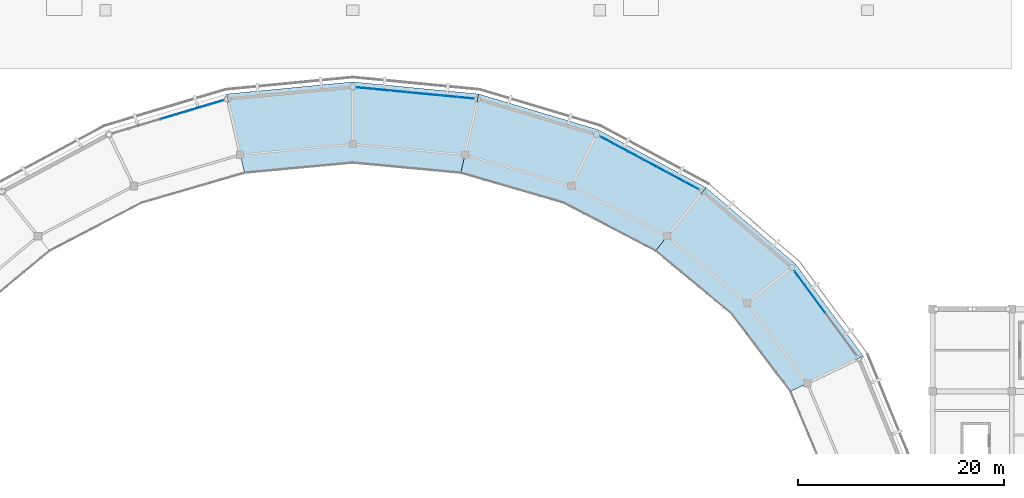
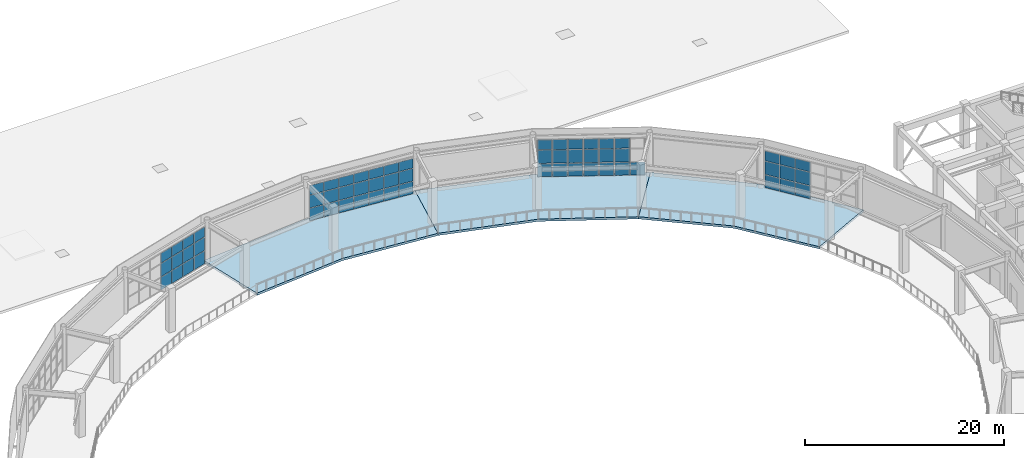
# One storey, part 45 of 70: 61 plates, 3 slabs, 4 elements without a shape of their own.
"""IFC4 building model written with IfcOpenShell, lengths in metres."""

from ifc_helpers import new_model, si_unit, direction, frame, origin, origin_2d, place, context, subcontext, project, spatial, polyline, rectangle, outline, extrude, material, layer, layer_set, type_object, element, aggregate, save


model = new_model("IFC4")

# Units and contexts
model_context = context("Model", 3, precision=1e-05, world=origin(), true_north=direction((0.0, 1.0)))
body_context = subcontext(model_context, "Body", "Model", "MODEL_VIEW")
ifc_project = project(units=[si_unit("LENGTHUNIT", "METRE"), si_unit("AREAUNIT", "SQUARE_METRE"), si_unit("VOLUMEUNIT", "CUBIC_METRE"), si_unit("PLANEANGLEUNIT", "RADIAN"), si_unit("MASSUNIT", "GRAM", prefix="KILO")], contexts=[model_context])

# Site, building, storey
site_placement = place(None, origin())
site = spatial("IfcSite", under=ifc_project, at=site_placement, CompositionType="ELEMENT")
building_placement = place(site_placement, origin())
building = spatial("IfcBuilding", under=site, at=building_placement, Name="Cuetzalor Civic Arena", CompositionType="ELEMENT")
storey_placement = place(building_placement, frame((0.0, 0.0, 21.0)))
storey = spatial("IfcBuildingStorey", under=building, at=storey_placement, Name="L04", CompositionType="ELEMENT", Elevation=21.0)

# Curtain wall, plates
ifc_material_1 = material(Name="Anodised dark bronze aluminium and low-E solar glass", Category="aluminium")
curtain_wall_type_1 = type_object("IfcCurtainWallType", Name="UnitisedCW_10150x4650", PredefinedType="USERDEFINED", material=ifc_material_1)
curtain_wall_1_placement = place(storey_placement, origin())
curtain_wall_1 = element("IfcCurtainWall", 1, at=curtain_wall_1_placement, inside=storey, type_object=curtain_wall_type_1, Name="Drum Triangle Foyer Curtain Wall L04-057", ObjectType="UNITISED CURTAIN WALL", PredefinedType="USERDEFINED")
ifc_material_2 = material(Name="Acoustic laminated solar control glass", Category="glass")
ifc_layer_1 = layer(ifc_material_2, 0.0439453125)
ifc_layer_set_1 = layer_set([ifc_layer_1], Name="Acoustic laminated solar control glass")
plate_type = type_object("IfcPlateType", Name="AcousticTripleGlazedPanel_44", PredefinedType="CURTAIN_PANEL", material=ifc_layer_set_1)
plate_1_placement = place(storey_placement, frame((43.402587890625, 27.999755859375, 0.06982421875), z_axis=(0.0, 0.0, 1.0), x_axis=(0.59292931222, -0.805254513002, 0.0)))
plate_1 = element("IfcPlate", 2, at=plate_1_placement, type_object=plate_type, Name="CW-06 panel 1.1", PredefinedType="CURTAIN_PANEL", context=body_context, shape_type="SweptSolid", body=[
    extrude(rectangle(XDim=1.585693359375, YDim=0.0439453125, at=origin_2d()), origin(), (0.0, 0.0, 1.0), 1.570068359375),
])
plate_2_placement = place(storey_placement, frame((43.402587890625, 27.999755859375, 1.7099609375), z_axis=(0.0, 0.0, 1.0), x_axis=(0.59292931222, -0.805254513002, 0.0)))
plate_2 = element("IfcPlate", 3, at=plate_2_placement, type_object=plate_type, Name="CW-06 panel 1.2", PredefinedType="CURTAIN_PANEL", context=body_context, shape_type="SweptSolid", body=[
    extrude(rectangle(XDim=1.585693359375, YDim=0.0439453125, at=origin_2d()), origin(), (0.0, 0.0, 1.0), 1.60498046875),
])
plate_3_placement = place(storey_placement, frame((43.402587890625, 27.999755859375, 3.384765625), z_axis=(0.0, 0.0, 1.0), x_axis=(0.59292931222, -0.805254513002, 0.0)))
plate_3 = element("IfcPlate", 4, at=plate_3_placement, type_object=plate_type, Name="CW-06 panel 1.3", PredefinedType="CURTAIN_PANEL", context=body_context, shape_type="SweptSolid", body=[
    extrude(rectangle(XDim=1.585693359375, YDim=0.0439453125, at=origin_2d()), origin(), (0.0, 0.0, 1.0), 1.197998046875),
])
plate_4_placement = place(storey_placement, frame((44.394775390625, 26.652587890625, 0.06982421875), z_axis=(0.0, 0.0, 1.0), x_axis=(0.59292931222, -0.805254513002, 0.0)))
plate_4 = element("IfcPlate", 5, at=plate_4_placement, type_object=plate_type, Name="CW-06 panel 2.1", PredefinedType="CURTAIN_PANEL", context=body_context, shape_type="SweptSolid", body=[
    extrude(rectangle(XDim=1.62060546875, YDim=0.0439453125, at=origin_2d()), origin(), (0.0, 0.0, 1.0), 1.570068359375),
])
plate_5_placement = place(storey_placement, frame((44.394775390625, 26.652587890625, 1.7099609375), z_axis=(0.0, 0.0, 1.0), x_axis=(0.59292931222, -0.805254513002, 0.0)))
plate_5 = element("IfcPlate", 6, at=plate_5_placement, type_object=plate_type, Name="CW-06 panel 2.2", PredefinedType="CURTAIN_PANEL", context=body_context, shape_type="SweptSolid", body=[
    extrude(rectangle(XDim=1.62060546875, YDim=0.0439453125, at=origin_2d()), origin(), (0.0, 0.0, 1.0), 1.60498046875),
])
plate_6_placement = place(storey_placement, frame((44.394775390625, 26.652587890625, 3.384765625), z_axis=(0.0, 0.0, 1.0), x_axis=(0.59292931222, -0.805254513002, 0.0)))
plate_6 = element("IfcPlate", 7, at=plate_6_placement, type_object=plate_type, Name="CW-06 panel 2.3", PredefinedType="CURTAIN_PANEL", context=body_context, shape_type="SweptSolid", body=[
    extrude(rectangle(XDim=1.62060546875, YDim=0.0439453125, at=origin_2d()), origin(), (0.0, 0.0, 1.0), 1.197998046875),
])
plate_7_placement = place(storey_placement, frame((45.397216796875, 25.291015625, 0.06982421875), z_axis=(0.0, 0.0, 1.0), x_axis=(0.59292931222, -0.805254513002, 0.0)))
plate_7 = element("IfcPlate", 8, at=plate_7_placement, type_object=plate_type, Name="CW-06 panel 3.1", PredefinedType="CURTAIN_PANEL", context=body_context, shape_type="SweptSolid", body=[
    extrude(rectangle(XDim=1.62060546875, YDim=0.0439453125, at=origin_2d()), origin(), (0.0, 0.0, 1.0), 1.570068359375),
])
plate_8_placement = place(storey_placement, frame((45.397216796875, 25.291015625, 1.7099609375), z_axis=(0.0, 0.0, 1.0), x_axis=(0.59292931222, -0.805254513002, 0.0)))
plate_8 = element("IfcPlate", 9, at=plate_8_placement, type_object=plate_type, Name="CW-06 panel 3.2", PredefinedType="CURTAIN_PANEL", context=body_context, shape_type="SweptSolid", body=[
    extrude(rectangle(XDim=1.62060546875, YDim=0.0439453125, at=origin_2d()), origin(), (0.0, 0.0, 1.0), 1.60498046875),
])
plate_9_placement = place(storey_placement, frame((45.397216796875, 25.291015625, 3.384765625), z_axis=(0.0, 0.0, 1.0), x_axis=(0.59292931222, -0.805254513002, 0.0)))
plate_9 = element("IfcPlate", 10, at=plate_9_placement, type_object=plate_type, Name="CW-06 panel 3.3", PredefinedType="CURTAIN_PANEL", context=body_context, shape_type="SweptSolid", body=[
    extrude(rectangle(XDim=1.62060546875, YDim=0.0439453125, at=origin_2d()), origin(), (0.0, 0.0, 1.0), 1.197998046875),
])
aggregate(curtain_wall_1, [plate_1, plate_2, plate_3, plate_4, plate_5, plate_6, plate_7, plate_8, plate_9])

ifc_material_3 = material(Name="Anodised dark bronze aluminium and low-E solar glass", Category="aluminium")
curtain_wall_type_2 = type_object("IfcCurtainWallType", Name="UnitisedCW_10950x4650", PredefinedType="USERDEFINED", material=ifc_material_3)
curtain_wall_2_placement = place(storey_placement, origin())
curtain_wall_2 = element("IfcCurtainWall", 11, at=curtain_wall_2_placement, inside=storey, type_object=curtain_wall_type_2, Name="Drum Triangle Foyer Curtain Wall L04-058", ObjectType="UNITISED CURTAIN WALL", PredefinedType="USERDEFINED")
plate_10_placement = place(storey_placement, frame((24.720947265625, 41.375732421875, 0.06982421875), z_axis=(0.0, 0.0, 1.0), x_axis=(0.881306344124, -0.472545371163, 0.0)))
plate_10 = element("IfcPlate", 12, at=plate_10_placement, type_object=plate_type, Name="CW-07 panel 1.1", PredefinedType="CURTAIN_PANEL", context=body_context, shape_type="SweptSolid", body=[
    extrude(rectangle(XDim=1.458740234375, YDim=0.0439453125, at=origin_2d()), origin(), (0.0, 0.0, 1.0), 1.570068359375),
])
plate_11_placement = place(storey_placement, frame((24.720947265625, 41.375732421875, 1.7099609375), z_axis=(0.0, 0.0, 1.0), x_axis=(0.881306344124, -0.472545371163, 0.0)))
plate_11 = element("IfcPlate", 13, at=plate_11_placement, type_object=plate_type, Name="CW-07 panel 1.2", PredefinedType="CURTAIN_PANEL", context=body_context, shape_type="SweptSolid", body=[
    extrude(rectangle(XDim=1.458740234375, YDim=0.0439453125, at=origin_2d()), origin(), (0.0, 0.0, 1.0), 1.60498046875),
])
plate_12_placement = place(storey_placement, frame((24.720947265625, 41.375732421875, 3.384765625), z_axis=(0.0, 0.0, 1.0), x_axis=(0.881306344124, -0.472545371163, 0.0)))
plate_12 = element("IfcPlate", 14, at=plate_12_placement, type_object=plate_type, Name="CW-07 panel 1.3", PredefinedType="CURTAIN_PANEL", context=body_context, shape_type="SweptSolid", body=[
    extrude(rectangle(XDim=1.458740234375, YDim=0.0439453125, at=origin_2d()), origin(), (0.0, 0.0, 1.0), 1.197998046875),
])
plate_13_placement = place(storey_placement, frame((26.08349609375, 40.64501953125, 0.06982421875), z_axis=(0.0, 0.0, 1.0), x_axis=(0.881306344124, -0.472545371163, 0.0)))
plate_13 = element("IfcPlate", 15, at=plate_13_placement, type_object=plate_type, Name="CW-07 panel 2.1", PredefinedType="CURTAIN_PANEL", context=body_context, shape_type="SweptSolid", body=[
    extrude(rectangle(XDim=1.49365234375, YDim=0.0439453125, at=origin_2d()), origin(), (0.0, 0.0, 1.0), 1.570068359375),
])
plate_14_placement = place(storey_placement, frame((26.08349609375, 40.64501953125, 1.7099609375), z_axis=(0.0, 0.0, 1.0), x_axis=(0.881306344124, -0.472545371163, 0.0)))
plate_14 = element("IfcPlate", 16, at=plate_14_placement, type_object=plate_type, Name="CW-07 panel 2.2", PredefinedType="CURTAIN_PANEL", context=body_context, shape_type="SweptSolid", body=[
    extrude(rectangle(XDim=1.49365234375, YDim=0.0439453125, at=origin_2d()), origin(), (0.0, 0.0, 1.0), 1.60498046875),
])
plate_15_placement = place(storey_placement, frame((26.08349609375, 40.64501953125, 3.384765625), z_axis=(0.0, 0.0, 1.0), x_axis=(0.881306344124, -0.472545371163, 0.0)))
plate_15 = element("IfcPlate", 17, at=plate_15_placement, type_object=plate_type, Name="CW-07 panel 2.3", PredefinedType="CURTAIN_PANEL", context=body_context, shape_type="SweptSolid", body=[
    extrude(rectangle(XDim=1.49365234375, YDim=0.0439453125, at=origin_2d()), origin(), (0.0, 0.0, 1.0), 1.197998046875),
])
plate_16_placement = place(storey_placement, frame((27.461669921875, 39.90625, 0.06982421875), z_axis=(0.0, 0.0, 1.0), x_axis=(0.881306344124, -0.472545371163, 0.0)))
plate_16 = element("IfcPlate", 18, at=plate_16_placement, type_object=plate_type, Name="CW-07 panel 3.1", PredefinedType="CURTAIN_PANEL", context=body_context, shape_type="SweptSolid", body=[
    extrude(rectangle(XDim=1.49365234375, YDim=0.0439453125, at=origin_2d()), origin(), (0.0, 0.0, 1.0), 1.570068359375),
])
plate_17_placement = place(storey_placement, frame((27.461669921875, 39.90625, 1.7099609375), z_axis=(0.0, 0.0, 1.0), x_axis=(0.881306344124, -0.472545371163, 0.0)))
plate_17 = element("IfcPlate", 19, at=plate_17_placement, type_object=plate_type, Name="CW-07 panel 3.2", PredefinedType="CURTAIN_PANEL", context=body_context, shape_type="SweptSolid", body=[
    extrude(rectangle(XDim=1.49365234375, YDim=0.0439453125, at=origin_2d()), origin(), (0.0, 0.0, 1.0), 1.60498046875),
])
plate_18_placement = place(storey_placement, frame((27.461669921875, 39.90625, 3.384765625), z_axis=(0.0, 0.0, 1.0), x_axis=(0.881306344124, -0.472545371163, 0.0)))
plate_18 = element("IfcPlate", 20, at=plate_18_placement, type_object=plate_type, Name="CW-07 panel 3.3", PredefinedType="CURTAIN_PANEL", context=body_context, shape_type="SweptSolid", body=[
    extrude(rectangle(XDim=1.49365234375, YDim=0.0439453125, at=origin_2d()), origin(), (0.0, 0.0, 1.0), 1.197998046875),
])
plate_19_placement = place(storey_placement, frame((28.83984375, 39.167236328125, 0.06982421875), z_axis=(0.0, 0.0, 1.0), x_axis=(0.881306344124, -0.472545371163, 0.0)))
plate_19 = element("IfcPlate", 21, at=plate_19_placement, type_object=plate_type, Name="CW-07 panel 4.1", PredefinedType="CURTAIN_PANEL", context=body_context, shape_type="SweptSolid", body=[
    extrude(rectangle(XDim=1.49365234375, YDim=0.0439453125, at=origin_2d()), origin(), (0.0, 0.0, 1.0), 1.570068359375),
])
plate_20_placement = place(storey_placement, frame((28.83984375, 39.167236328125, 1.7099609375), z_axis=(0.0, 0.0, 1.0), x_axis=(0.881306344124, -0.472545371163, 0.0)))
plate_20 = element("IfcPlate", 22, at=plate_20_placement, type_object=plate_type, Name="CW-07 panel 4.2", PredefinedType="CURTAIN_PANEL", context=body_context, shape_type="SweptSolid", body=[
    extrude(rectangle(XDim=1.49365234375, YDim=0.0439453125, at=origin_2d()), origin(), (0.0, 0.0, 1.0), 1.60498046875),
])
plate_21_placement = place(storey_placement, frame((28.83984375, 39.167236328125, 3.384765625), z_axis=(0.0, 0.0, 1.0), x_axis=(0.881306344124, -0.472545371163, 0.0)))
plate_21 = element("IfcPlate", 23, at=plate_21_placement, type_object=plate_type, Name="CW-07 panel 4.3", PredefinedType="CURTAIN_PANEL", context=body_context, shape_type="SweptSolid", body=[
    extrude(rectangle(XDim=1.49365234375, YDim=0.0439453125, at=origin_2d()), origin(), (0.0, 0.0, 1.0), 1.197998046875),
])
plate_22_placement = place(storey_placement, frame((30.218017578125, 38.42822265625, 0.06982421875), z_axis=(0.0, 0.0, 1.0), x_axis=(0.881306344124, -0.472545371163, 0.0)))
plate_22 = element("IfcPlate", 24, at=plate_22_placement, type_object=plate_type, Name="CW-07 panel 5.1", PredefinedType="CURTAIN_PANEL", context=body_context, shape_type="SweptSolid", body=[
    extrude(rectangle(XDim=1.49365234375, YDim=0.0439453125, at=origin_2d()), origin(), (0.0, 0.0, 1.0), 1.570068359375),
])
plate_23_placement = place(storey_placement, frame((30.218017578125, 38.42822265625, 1.7099609375), z_axis=(0.0, 0.0, 1.0), x_axis=(0.881306344124, -0.472545371163, 0.0)))
plate_23 = element("IfcPlate", 25, at=plate_23_placement, type_object=plate_type, Name="CW-07 panel 5.2", PredefinedType="CURTAIN_PANEL", context=body_context, shape_type="SweptSolid", body=[
    extrude(rectangle(XDim=1.49365234375, YDim=0.0439453125, at=origin_2d()), origin(), (0.0, 0.0, 1.0), 1.60498046875),
])
plate_24_placement = place(storey_placement, frame((30.218017578125, 38.42822265625, 3.384765625), z_axis=(0.0, 0.0, 1.0), x_axis=(0.881306344124, -0.472545371163, 0.0)))
plate_24 = element("IfcPlate", 26, at=plate_24_placement, type_object=plate_type, Name="CW-07 panel 5.3", PredefinedType="CURTAIN_PANEL", context=body_context, shape_type="SweptSolid", body=[
    extrude(rectangle(XDim=1.49365234375, YDim=0.0439453125, at=origin_2d()), origin(), (0.0, 0.0, 1.0), 1.197998046875),
])
plate_25_placement = place(storey_placement, frame((31.59619140625, 37.689208984375, 0.06982421875), z_axis=(0.0, 0.0, 1.0), x_axis=(0.881306344124, -0.472545371163, 0.0)))
plate_25 = element("IfcPlate", 27, at=plate_25_placement, type_object=plate_type, Name="CW-07 panel 6.1", PredefinedType="CURTAIN_PANEL", context=body_context, shape_type="SweptSolid", body=[
    extrude(rectangle(XDim=1.49365234375, YDim=0.0439453125, at=origin_2d()), origin(), (0.0, 0.0, 1.0), 1.570068359375),
])
plate_26_placement = place(storey_placement, frame((31.59619140625, 37.689208984375, 1.7099609375), z_axis=(0.0, 0.0, 1.0), x_axis=(0.881306344124, -0.472545371163, 0.0)))
plate_26 = element("IfcPlate", 28, at=plate_26_placement, type_object=plate_type, Name="CW-07 panel 6.2", PredefinedType="CURTAIN_PANEL", context=body_context, shape_type="SweptSolid", body=[
    extrude(rectangle(XDim=1.49365234375, YDim=0.0439453125, at=origin_2d()), origin(), (0.0, 0.0, 1.0), 1.60498046875),
])
plate_27_placement = place(storey_placement, frame((31.59619140625, 37.689208984375, 3.384765625), z_axis=(0.0, 0.0, 1.0), x_axis=(0.881306344124, -0.472545371163, 0.0)))
plate_27 = element("IfcPlate", 29, at=plate_27_placement, type_object=plate_type, Name="CW-07 panel 6.3", PredefinedType="CURTAIN_PANEL", context=body_context, shape_type="SweptSolid", body=[
    extrude(rectangle(XDim=1.49365234375, YDim=0.0439453125, at=origin_2d()), origin(), (0.0, 0.0, 1.0), 1.197998046875),
])
plate_28_placement = place(storey_placement, frame((32.958984375, 36.958740234375, 0.06982421875), z_axis=(0.0, 0.0, 1.0), x_axis=(0.881306344124, -0.472545371163, 0.0)))
plate_28 = element("IfcPlate", 30, at=plate_28_placement, type_object=plate_type, Name="CW-07 panel 7.1", PredefinedType="CURTAIN_PANEL", context=body_context, shape_type="SweptSolid", body=[
    extrude(rectangle(XDim=1.458740234375, YDim=0.0439453125, at=origin_2d()), origin(), (0.0, 0.0, 1.0), 1.570068359375),
])
aggregate(curtain_wall_2, [plate_10, plate_11, plate_12, plate_13, plate_14, plate_15, plate_16, plate_17, plate_18, plate_19, plate_20, plate_21, plate_22, plate_23, plate_24, plate_25, plate_26, plate_27, plate_28])

ifc_material_4 = material(Name="Anodised dark bronze aluminium and low-E solar glass", Category="aluminium")
curtain_wall_type_3 = type_object("IfcCurtainWallType", Name="UnitisedCW_11550x4450", PredefinedType="USERDEFINED", material=ifc_material_4)
curtain_wall_3_placement = place(storey_placement, origin())
curtain_wall_3 = element("IfcCurtainWall", 31, at=curtain_wall_3_placement, inside=storey, type_object=curtain_wall_type_3, Name="Drum Triangle Foyer Curtain Wall L04-059", ObjectType="UNITISED CURTAIN WALL", PredefinedType="USERDEFINED")
plate_29_placement = place(storey_placement, frame((1.15185546875, 46.439208984375, 0.06494140625), z_axis=(0.0, 0.0, 1.0), x_axis=(0.995409139996, -0.095711253324, 0.0)))
plate_29 = element("IfcPlate", 32, at=plate_29_placement, type_object=plate_type, Name="CW-08 panel 1.1", PredefinedType="CURTAIN_PANEL", context=body_context, shape_type="SweptSolid", body=[
    extrude(rectangle(XDim=1.5546875, YDim=0.0439453125, at=origin_2d()), origin(), (0.0, 0.0, 1.0), 1.49853515625),
])
plate_30_placement = place(storey_placement, frame((1.15185546875, 46.439208984375, 1.62841796875), z_axis=(0.0, 0.0, 1.0), x_axis=(0.995409139996, -0.095711253324, 0.0)))
plate_30 = element("IfcPlate", 33, at=plate_30_placement, type_object=plate_type, Name="CW-08 panel 1.2", PredefinedType="CURTAIN_PANEL", context=body_context, shape_type="SweptSolid", body=[
    extrude(rectangle(XDim=1.5546875, YDim=0.0439453125, at=origin_2d()), origin(), (0.0, 0.0, 1.0), 1.530029296875),
])
plate_31_placement = place(storey_placement, frame((1.15185546875, 46.439208984375, 3.223388671875), z_axis=(0.0, 0.0, 1.0), x_axis=(0.995409139996, -0.095711253324, 0.0)))
plate_31 = element("IfcPlate", 34, at=plate_31_placement, type_object=plate_type, Name="CW-08 panel 1.3", PredefinedType="CURTAIN_PANEL", context=body_context, shape_type="SweptSolid", body=[
    extrude(rectangle(XDim=1.5546875, YDim=0.0439453125, at=origin_2d()), origin(), (0.0, 0.0, 1.0), 1.1435546875),
])
plate_32_placement = place(storey_placement, frame((2.780029296875, 46.28271484375, 0.06494140625), z_axis=(0.0, 0.0, 1.0), x_axis=(0.995409139996, -0.095711253324, 0.0)))
plate_32 = element("IfcPlate", 35, at=plate_32_placement, type_object=plate_type, Name="CW-08 panel 2.1", PredefinedType="CURTAIN_PANEL", context=body_context, shape_type="SweptSolid", body=[
    extrude(rectangle(XDim=1.587158203125, YDim=0.0439453125, at=origin_2d()), origin(), (0.0, 0.0, 1.0), 1.49853515625),
])
plate_33_placement = place(storey_placement, frame((2.780029296875, 46.28271484375, 1.62841796875), z_axis=(0.0, 0.0, 1.0), x_axis=(0.995409139996, -0.095711253324, 0.0)))
plate_33 = element("IfcPlate", 36, at=plate_33_placement, type_object=plate_type, Name="CW-08 panel 2.2", PredefinedType="CURTAIN_PANEL", context=body_context, shape_type="SweptSolid", body=[
    extrude(rectangle(XDim=1.587158203125, YDim=0.0439453125, at=origin_2d()), origin(), (0.0, 0.0, 1.0), 1.530029296875),
])
plate_34_placement = place(storey_placement, frame((2.780029296875, 46.28271484375, 3.223388671875), z_axis=(0.0, 0.0, 1.0), x_axis=(0.995409139996, -0.095711253324, 0.0)))
plate_34 = element("IfcPlate", 37, at=plate_34_placement, type_object=plate_type, Name="CW-08 panel 2.3", PredefinedType="CURTAIN_PANEL", context=body_context, shape_type="SweptSolid", body=[
    extrude(rectangle(XDim=1.587158203125, YDim=0.0439453125, at=origin_2d()), origin(), (0.0, 0.0, 1.0), 1.1435546875),
])
plate_35_placement = place(storey_placement, frame((4.4248046875, 46.12451171875, 0.06494140625), z_axis=(0.0, 0.0, 1.0), x_axis=(0.995409139996, -0.095711253324, 0.0)))
plate_35 = element("IfcPlate", 38, at=plate_35_placement, type_object=plate_type, Name="CW-08 panel 3.1", PredefinedType="CURTAIN_PANEL", context=body_context, shape_type="SweptSolid", body=[
    extrude(rectangle(XDim=1.587158203125, YDim=0.0439453125, at=origin_2d()), origin(), (0.0, 0.0, 1.0), 1.49853515625),
])
plate_36_placement = place(storey_placement, frame((4.4248046875, 46.12451171875, 1.62841796875), z_axis=(0.0, 0.0, 1.0), x_axis=(0.995409139996, -0.095711253324, 0.0)))
plate_36 = element("IfcPlate", 39, at=plate_36_placement, type_object=plate_type, Name="CW-08 panel 3.2", PredefinedType="CURTAIN_PANEL", context=body_context, shape_type="SweptSolid", body=[
    extrude(rectangle(XDim=1.587158203125, YDim=0.0439453125, at=origin_2d()), origin(), (0.0, 0.0, 1.0), 1.530029296875),
])
plate_37_placement = place(storey_placement, frame((4.4248046875, 46.12451171875, 3.223388671875), z_axis=(0.0, 0.0, 1.0), x_axis=(0.995409139996, -0.095711253324, 0.0)))
plate_37 = element("IfcPlate", 40, at=plate_37_placement, type_object=plate_type, Name="CW-08 panel 3.3", PredefinedType="CURTAIN_PANEL", context=body_context, shape_type="SweptSolid", body=[
    extrude(rectangle(XDim=1.587158203125, YDim=0.0439453125, at=origin_2d()), origin(), (0.0, 0.0, 1.0), 1.1435546875),
])
plate_38_placement = place(storey_placement, frame((6.0693359375, 45.966552734375, 0.06494140625), z_axis=(0.0, 0.0, 1.0), x_axis=(0.995409139996, -0.095711253324, 0.0)))
plate_38 = element("IfcPlate", 41, at=plate_38_placement, type_object=plate_type, Name="CW-08 panel 4.1", PredefinedType="CURTAIN_PANEL", context=body_context, shape_type="SweptSolid", body=[
    extrude(rectangle(XDim=1.587158203125, YDim=0.0439453125, at=origin_2d()), origin(), (0.0, 0.0, 1.0), 1.49853515625),
])
plate_39_placement = place(storey_placement, frame((6.0693359375, 45.966552734375, 1.62841796875), z_axis=(0.0, 0.0, 1.0), x_axis=(0.995409139996, -0.095711253324, 0.0)))
plate_39 = element("IfcPlate", 42, at=plate_39_placement, type_object=plate_type, Name="CW-08 panel 4.2", PredefinedType="CURTAIN_PANEL", context=body_context, shape_type="SweptSolid", body=[
    extrude(rectangle(XDim=1.587158203125, YDim=0.0439453125, at=origin_2d()), origin(), (0.0, 0.0, 1.0), 1.530029296875),
])
plate_40_placement = place(storey_placement, frame((6.0693359375, 45.966552734375, 3.223388671875), z_axis=(0.0, 0.0, 1.0), x_axis=(0.995409139996, -0.095711253324, 0.0)))
plate_40 = element("IfcPlate", 43, at=plate_40_placement, type_object=plate_type, Name="CW-08 panel 4.3", PredefinedType="CURTAIN_PANEL", context=body_context, shape_type="SweptSolid", body=[
    extrude(rectangle(XDim=1.587158203125, YDim=0.0439453125, at=origin_2d()), origin(), (0.0, 0.0, 1.0), 1.1435546875),
])
plate_41_placement = place(storey_placement, frame((7.7138671875, 45.808349609375, 0.06494140625), z_axis=(0.0, 0.0, 1.0), x_axis=(0.995409139996, -0.095711253324, 0.0)))
plate_41 = element("IfcPlate", 44, at=plate_41_placement, type_object=plate_type, Name="CW-08 panel 5.1", PredefinedType="CURTAIN_PANEL", context=body_context, shape_type="SweptSolid", body=[
    extrude(rectangle(XDim=1.587158203125, YDim=0.0439453125, at=origin_2d()), origin(), (0.0, 0.0, 1.0), 1.49853515625),
])
plate_42_placement = place(storey_placement, frame((7.7138671875, 45.808349609375, 1.62841796875), z_axis=(0.0, 0.0, 1.0), x_axis=(0.995409139996, -0.095711253324, 0.0)))
plate_42 = element("IfcPlate", 45, at=plate_42_placement, type_object=plate_type, Name="CW-08 panel 5.2", PredefinedType="CURTAIN_PANEL", context=body_context, shape_type="SweptSolid", body=[
    extrude(rectangle(XDim=1.587158203125, YDim=0.0439453125, at=origin_2d()), origin(), (0.0, 0.0, 1.0), 1.530029296875),
])
plate_43_placement = place(storey_placement, frame((7.7138671875, 45.808349609375, 3.223388671875), z_axis=(0.0, 0.0, 1.0), x_axis=(0.995409139996, -0.095711253324, 0.0)))
plate_43 = element("IfcPlate", 46, at=plate_43_placement, type_object=plate_type, Name="CW-08 panel 5.3", PredefinedType="CURTAIN_PANEL", context=body_context, shape_type="SweptSolid", body=[
    extrude(rectangle(XDim=1.587158203125, YDim=0.0439453125, at=origin_2d()), origin(), (0.0, 0.0, 1.0), 1.1435546875),
])
plate_44_placement = place(storey_placement, frame((9.3583984375, 45.650146484375, 0.06494140625), z_axis=(0.0, 0.0, 1.0), x_axis=(0.995409139996, -0.095711253324, 0.0)))
plate_44 = element("IfcPlate", 47, at=plate_44_placement, type_object=plate_type, Name="CW-08 panel 6.1", PredefinedType="CURTAIN_PANEL", context=body_context, shape_type="SweptSolid", body=[
    extrude(rectangle(XDim=1.587158203125, YDim=0.0439453125, at=origin_2d()), origin(), (0.0, 0.0, 1.0), 1.49853515625),
])
plate_45_placement = place(storey_placement, frame((9.3583984375, 45.650146484375, 1.62841796875), z_axis=(0.0, 0.0, 1.0), x_axis=(0.995409139996, -0.095711253324, 0.0)))
plate_45 = element("IfcPlate", 48, at=plate_45_placement, type_object=plate_type, Name="CW-08 panel 6.2", PredefinedType="CURTAIN_PANEL", context=body_context, shape_type="SweptSolid", body=[
    extrude(rectangle(XDim=1.587158203125, YDim=0.0439453125, at=origin_2d()), origin(), (0.0, 0.0, 1.0), 1.530029296875),
])
plate_46_placement = place(storey_placement, frame((9.3583984375, 45.650146484375, 3.223388671875), z_axis=(0.0, 0.0, 1.0), x_axis=(0.995409139996, -0.095711253324, 0.0)))
plate_46 = element("IfcPlate", 49, at=plate_46_placement, type_object=plate_type, Name="CW-08 panel 6.3", PredefinedType="CURTAIN_PANEL", context=body_context, shape_type="SweptSolid", body=[
    extrude(rectangle(XDim=1.587158203125, YDim=0.0439453125, at=origin_2d()), origin(), (0.0, 0.0, 1.0), 1.1435546875),
])
plate_47_placement = place(storey_placement, frame((10.98681640625, 45.49365234375, 0.06494140625), z_axis=(0.0, 0.0, 1.0), x_axis=(0.995409139996, -0.095711253324, 0.0)))
plate_47 = element("IfcPlate", 50, at=plate_47_placement, type_object=plate_type, Name="CW-08 panel 7.1", PredefinedType="CURTAIN_PANEL", context=body_context, shape_type="SweptSolid", body=[
    extrude(rectangle(XDim=1.5546875, YDim=0.0439453125, at=origin_2d()), origin(), (0.0, 0.0, 1.0), 1.49853515625),
])
plate_48_placement = place(storey_placement, frame((10.98681640625, 45.49365234375, 1.62841796875), z_axis=(0.0, 0.0, 1.0), x_axis=(0.995409139996, -0.095711253324, 0.0)))
plate_48 = element("IfcPlate", 51, at=plate_48_placement, type_object=plate_type, Name="CW-08 panel 7.2", PredefinedType="CURTAIN_PANEL", context=body_context, shape_type="SweptSolid", body=[
    extrude(rectangle(XDim=1.5546875, YDim=0.0439453125, at=origin_2d()), origin(), (0.0, 0.0, 1.0), 1.530029296875),
])
plate_49_placement = place(storey_placement, frame((10.98681640625, 45.49365234375, 3.223388671875), z_axis=(0.0, 0.0, 1.0), x_axis=(0.995409139996, -0.095711253324, 0.0)))
plate_49 = element("IfcPlate", 52, at=plate_49_placement, type_object=plate_type, Name="CW-08 panel 7.3", PredefinedType="CURTAIN_PANEL", context=body_context, shape_type="SweptSolid", body=[
    extrude(rectangle(XDim=1.5546875, YDim=0.0439453125, at=origin_2d()), origin(), (0.0, 0.0, 1.0), 1.1435546875),
])
aggregate(curtain_wall_3, [plate_29, plate_30, plate_31, plate_32, plate_33, plate_34, plate_35, plate_36, plate_37, plate_38, plate_39, plate_40, plate_41, plate_42, plate_43, plate_44, plate_45, plate_46, plate_47, plate_48, plate_49])

ifc_material_5 = material(Name="Anodised dark bronze aluminium and low-E solar glass", Category="aluminium")
curtain_wall_type_4 = type_object("IfcCurtainWallType", Name="UnitisedCW_11300x4650", PredefinedType="USERDEFINED", material=ifc_material_5)
curtain_wall_4_placement = place(storey_placement, origin())
curtain_wall_4 = element("IfcCurtainWall", 53, at=curtain_wall_4_placement, inside=storey, type_object=curtain_wall_type_4, Name="Drum Triangle Foyer Curtain Wall L04-060", ObjectType="UNITISED CURTAIN WALL", PredefinedType="USERDEFINED")
plate_50_placement = place(storey_placement, frame((-17.903564453125, 43.66162109375, 0.06982421875), z_axis=(0.0, 0.0, 1.0), x_axis=(0.958193690548, 0.286120344251, 0.0)))
plate_50 = element("IfcPlate", 54, at=plate_50_placement, type_object=plate_type, Name="CW-09 panel 4.1", PredefinedType="CURTAIN_PANEL", context=body_context, shape_type="SweptSolid", body=[
    extrude(rectangle(XDim=1.545654296875, YDim=0.0439453125, at=origin_2d()), origin(), (0.0, 0.0, 1.0), 1.570068359375),
])
plate_51_placement = place(storey_placement, frame((-17.903564453125, 43.66162109375, 1.7099609375), z_axis=(0.0, 0.0, 1.0), x_axis=(0.958193690548, 0.286120344251, 0.0)))
plate_51 = element("IfcPlate", 55, at=plate_51_placement, type_object=plate_type, Name="CW-09 panel 4.2", PredefinedType="CURTAIN_PANEL", context=body_context, shape_type="SweptSolid", body=[
    extrude(rectangle(XDim=1.545654296875, YDim=0.0439453125, at=origin_2d()), origin(), (0.0, 0.0, 1.0), 1.60498046875),
])
plate_52_placement = place(storey_placement, frame((-17.903564453125, 43.66162109375, 3.384765625), z_axis=(0.0, 0.0, 1.0), x_axis=(0.958193690548, 0.286120344251, 0.0)))
plate_52 = element("IfcPlate", 56, at=plate_52_placement, type_object=plate_type, Name="CW-09 panel 4.3", PredefinedType="CURTAIN_PANEL", context=body_context, shape_type="SweptSolid", body=[
    extrude(rectangle(XDim=1.545654296875, YDim=0.0439453125, at=origin_2d()), origin(), (0.0, 0.0, 1.0), 1.197998046875),
])
plate_53_placement = place(storey_placement, frame((-16.355224609375, 44.123779296875, 0.06982421875), z_axis=(0.0, 0.0, 1.0), x_axis=(0.958193690548, 0.286120344251, 0.0)))
plate_53 = element("IfcPlate", 57, at=plate_53_placement, type_object=plate_type, Name="CW-09 panel 5.1", PredefinedType="CURTAIN_PANEL", context=body_context, shape_type="SweptSolid", body=[
    extrude(rectangle(XDim=1.545654296875, YDim=0.0439453125, at=origin_2d()), origin(), (0.0, 0.0, 1.0), 1.570068359375),
])
plate_54_placement = place(storey_placement, frame((-16.355224609375, 44.123779296875, 1.7099609375), z_axis=(0.0, 0.0, 1.0), x_axis=(0.958193690548, 0.286120344251, 0.0)))
plate_54 = element("IfcPlate", 58, at=plate_54_placement, type_object=plate_type, Name="CW-09 panel 5.2", PredefinedType="CURTAIN_PANEL", context=body_context, shape_type="SweptSolid", body=[
    extrude(rectangle(XDim=1.545654296875, YDim=0.0439453125, at=origin_2d()), origin(), (0.0, 0.0, 1.0), 1.60498046875),
])
plate_55_placement = place(storey_placement, frame((-16.355224609375, 44.123779296875, 3.384765625), z_axis=(0.0, 0.0, 1.0), x_axis=(0.958193690548, 0.286120344251, 0.0)))
plate_55 = element("IfcPlate", 59, at=plate_55_placement, type_object=plate_type, Name="CW-09 panel 5.3", PredefinedType="CURTAIN_PANEL", context=body_context, shape_type="SweptSolid", body=[
    extrude(rectangle(XDim=1.545654296875, YDim=0.0439453125, at=origin_2d()), origin(), (0.0, 0.0, 1.0), 1.197998046875),
])
plate_56_placement = place(storey_placement, frame((-14.80712890625, 44.586181640625, 0.06982421875), z_axis=(0.0, 0.0, 1.0), x_axis=(0.958193690548, 0.286120344251, 0.0)))
plate_56 = element("IfcPlate", 60, at=plate_56_placement, type_object=plate_type, Name="CW-09 panel 6.1", PredefinedType="CURTAIN_PANEL", context=body_context, shape_type="SweptSolid", body=[
    extrude(rectangle(XDim=1.545654296875, YDim=0.0439453125, at=origin_2d()), origin(), (0.0, 0.0, 1.0), 1.570068359375),
])
plate_57_placement = place(storey_placement, frame((-14.80712890625, 44.586181640625, 1.7099609375), z_axis=(0.0, 0.0, 1.0), x_axis=(0.958193690548, 0.286120344251, 0.0)))
plate_57 = element("IfcPlate", 61, at=plate_57_placement, type_object=plate_type, Name="CW-09 panel 6.2", PredefinedType="CURTAIN_PANEL", context=body_context, shape_type="SweptSolid", body=[
    extrude(rectangle(XDim=1.545654296875, YDim=0.0439453125, at=origin_2d()), origin(), (0.0, 0.0, 1.0), 1.60498046875),
])
plate_58_placement = place(storey_placement, frame((-14.80712890625, 44.586181640625, 3.384765625), z_axis=(0.0, 0.0, 1.0), x_axis=(0.958193690548, 0.286120344251, 0.0)))
plate_58 = element("IfcPlate", 62, at=plate_58_placement, type_object=plate_type, Name="CW-09 panel 6.3", PredefinedType="CURTAIN_PANEL", context=body_context, shape_type="SweptSolid", body=[
    extrude(rectangle(XDim=1.545654296875, YDim=0.0439453125, at=origin_2d()), origin(), (0.0, 0.0, 1.0), 1.197998046875),
])
plate_59_placement = place(storey_placement, frame((-13.275634765625, 45.04345703125, 0.06982421875), z_axis=(0.0, 0.0, 1.0), x_axis=(0.958193690548, 0.286120344251, 0.0)))
plate_59 = element("IfcPlate", 63, at=plate_59_placement, type_object=plate_type, Name="CW-09 panel 7.1", PredefinedType="CURTAIN_PANEL", context=body_context, shape_type="SweptSolid", body=[
    extrude(rectangle(XDim=1.5107421875, YDim=0.0439453125, at=origin_2d()), origin(), (0.0, 0.0, 1.0), 1.570068359375),
])
plate_60_placement = place(storey_placement, frame((-13.275634765625, 45.04345703125, 1.7099609375), z_axis=(0.0, 0.0, 1.0), x_axis=(0.958193690548, 0.286120344251, 0.0)))
plate_60 = element("IfcPlate", 64, at=plate_60_placement, type_object=plate_type, Name="CW-09 panel 7.2", PredefinedType="CURTAIN_PANEL", context=body_context, shape_type="SweptSolid", body=[
    extrude(rectangle(XDim=1.5107421875, YDim=0.0439453125, at=origin_2d()), origin(), (0.0, 0.0, 1.0), 1.60498046875),
])
plate_61_placement = place(storey_placement, frame((-13.275634765625, 45.04345703125, 3.384765625), z_axis=(0.0, 0.0, 1.0), x_axis=(0.958193690548, 0.286120344251, 0.0)))
plate_61 = element("IfcPlate", 65, at=plate_61_placement, type_object=plate_type, Name="CW-09 panel 7.3", PredefinedType="CURTAIN_PANEL", context=body_context, shape_type="SweptSolid", body=[
    extrude(rectangle(XDim=1.5107421875, YDim=0.0439453125, at=origin_2d()), origin(), (0.0, 0.0, 1.0), 1.197998046875),
])
aggregate(curtain_wall_4, [plate_50, plate_51, plate_52, plate_53, plate_54, plate_55, plate_56, plate_57, plate_58, plate_59, plate_60, plate_61])

# Slabs
ifc_material_6 = material(Name="Concrete C35/45", Category="concrete")
ifc_layer_2 = layer(ifc_material_6, 0.280029296875)
ifc_layer_set_2 = layer_set([ifc_layer_2], Name="Concrete C35/45")
slab_type = type_object("IfcSlabType", Name="SuspendedFloorSlab_280", PredefinedType="FLOOR", material=ifc_layer_set_2)
slab_1_placement = place(storey_placement, frame((0.0, 0.0, -0.280029296875)))
element("IfcSlab", 66, at=slab_1_placement, inside=storey, type_object=slab_type, Name="Arena Concourse Sector Slab L04-02", PredefinedType="FLOOR", context=body_context, shape_type="SweptSolid", body=[
    extrude(outline(polyline([(42.525634765625, 17.00830078125), (36.90234375, 24.44091796875), (29.4287109375, 30.647705078125), (34.322998046875, 36.78515625), (43.039794921875, 29.335205078125), (49.598388671875, 20.414306640625), (42.525634765625, 17.00830078125)])), origin(), (0.0, 0.0, 1.0), 0.280029296875),
])
slab_2_placement = place(storey_placement, frame((0.0, 0.0, -0.280029296875)))
element("IfcSlab", 67, at=slab_2_placement, inside=storey, type_object=slab_type, Name="Arena Concourse Sector Slab L04-03", PredefinedType="FLOOR", context=body_context, shape_type="SweptSolid", body=[
    extrude(outline(polyline([(29.4287109375, 30.647705078125), (20.479248046875, 35.318115234375), (10.5029296875, 38.21728515625), (12.249755859375, 45.870361328125), (23.88525390625, 42.390625), (34.322998046875, 36.78515625), (29.4287109375, 30.647705078125)])), origin(), (0.0, 0.0, 1.0), 0.280029296875),
])
slab_3_placement = place(storey_placement, frame((0.0, 0.0, -0.280029296875)))
element("IfcSlab", 68, at=slab_3_placement, inside=storey, type_object=slab_type, Name="Arena Concourse Sector Slab L04-04", PredefinedType="FLOOR", context=body_context, shape_type="SweptSolid", body=[
    extrude(outline(polyline([(10.5029296875, 38.21728515625), (0.0, 39.199951171875), (-10.5029296875, 38.21728515625), (-12.249755859375, 45.870361328125), (0.0, 47.050048828125), (12.249755859375, 45.870361328125), (10.5029296875, 38.21728515625)])), origin(), (0.0, 0.0, 1.0), 0.280029296875),
])

save(model, "model.ifc")
